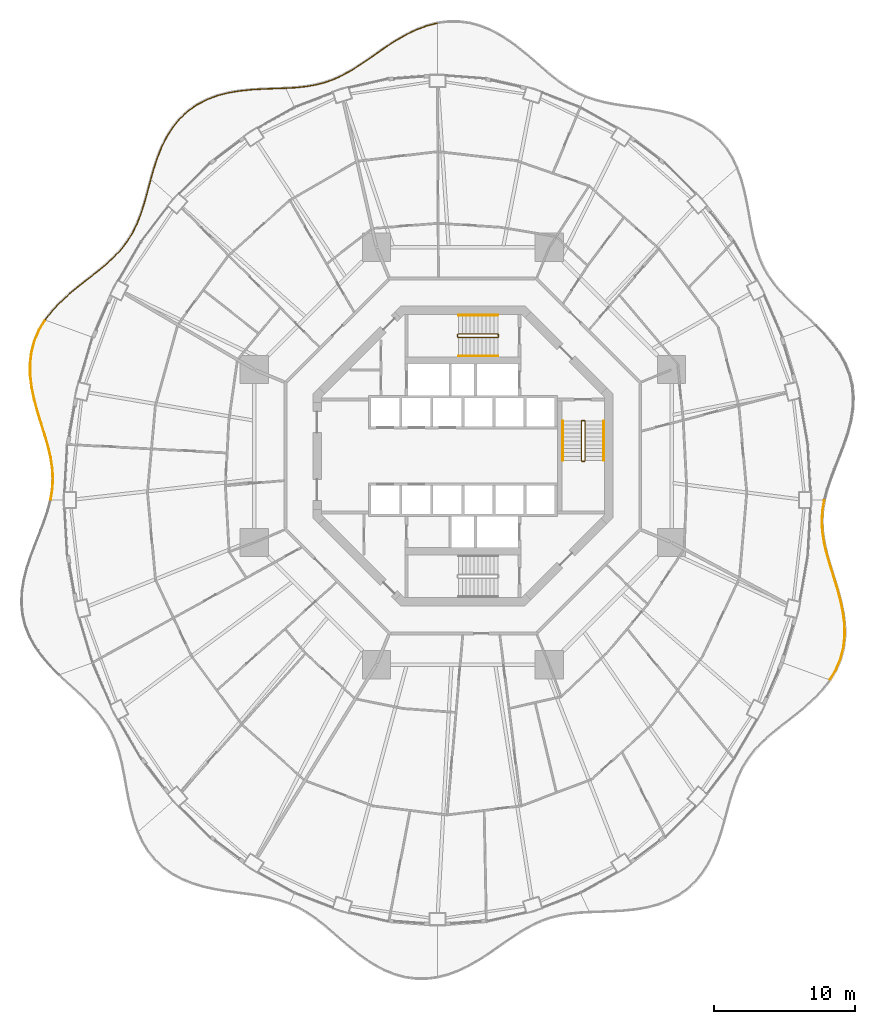
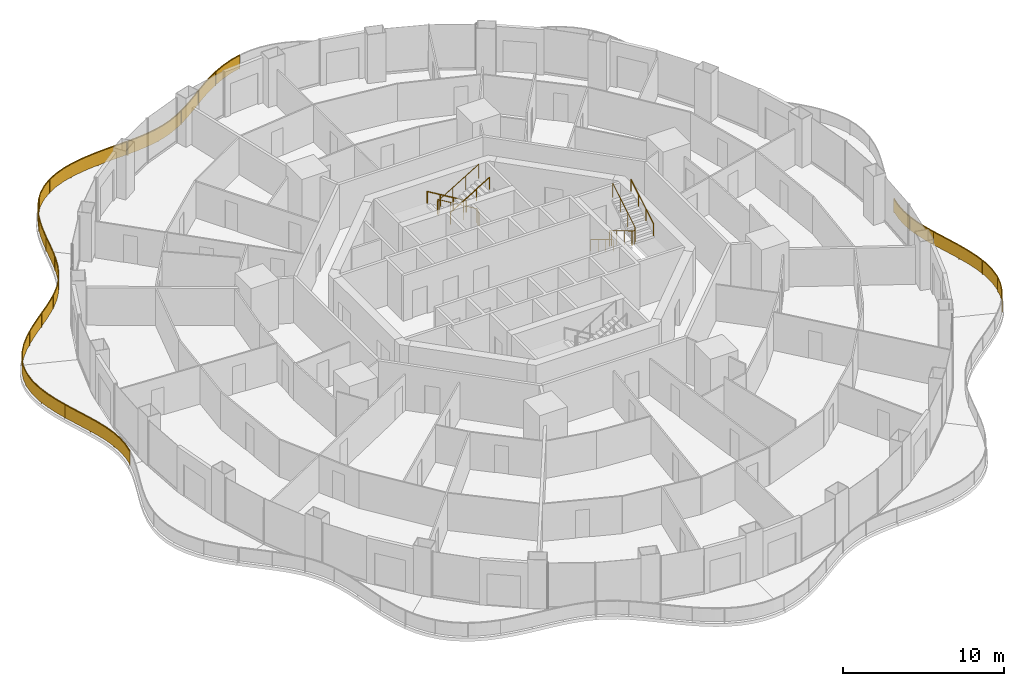
# One storey, part 20 of 21: 11 railings.
"""IFC4 building model written with IfcOpenShell, lengths in metres."""

from ifc_helpers import new_model, si_unit, direction, frame, origin, origin_2d, place, context, subcontext, project, spatial, polyline, rectangle, circle, outline, extrude, material, type_object, element, save


model = new_model("IFC4")

# Units and contexts
model_context = context("Model", 3, precision=1e-05, world=origin(), true_north=direction((0.0, 1.0)))
body_context = subcontext(model_context, "Body", "Model", "MODEL_VIEW")
ifc_project = project(units=[si_unit("LENGTHUNIT", "METRE"), si_unit("AREAUNIT", "SQUARE_METRE"), si_unit("VOLUMEUNIT", "CUBIC_METRE"), si_unit("PLANEANGLEUNIT", "RADIAN"), si_unit("MASSUNIT", "GRAM", prefix="KILO")], contexts=[model_context])

# Site, building, storey
site_placement = place(None, origin())
site = spatial("IfcSite", under=ifc_project, at=site_placement, CompositionType="ELEMENT")
building_placement = place(site_placement, origin())
building = spatial("IfcBuilding", under=site, at=building_placement, Name="Nagisa Residences", CompositionType="ELEMENT")
storey_placement = place(building_placement, frame((0.0, 0.0, 138.10009765625)))
storey = spatial("IfcBuildingStorey", under=building, at=storey_placement, Name="L34", CompositionType="ELEMENT", Elevation=138.10009765625)

# Railings
ifc_material_1 = material(Name="Stainless steel 316", Category="steel")
railing_type_1 = type_object("IfcRailingType", Name="BALCONY GUARD 1100", PredefinedType="BALUSTRADE", material=ifc_material_1)
railing_1_placement = place(storey_placement, frame((-1.83740234375, 30.656982421875, 0.0)))
element("IfcRailing", 1, at=railing_1_placement, inside=storey, type_object=railing_type_1, Name="guard:L34:bal04-0", PredefinedType="BALUSTRADE", context=body_context, shape_type="SweptSolid", body=[
    extrude(outline(polyline([(-0.701171875, -0.205810546875), (0.006103515625, -0.024169921875), (-0.006103515625, 0.024169921875), (-0.71630859375, -0.157958984375), (-1.45947265625, -0.43408203125), (-2.18310546875, -0.780029296875), (-2.8837890625, -1.178955078125), (-3.561279296875, -1.612548828125), (-4.198974609375, -2.05859375), (-4.835205078125, -2.50390625), (-5.45751953125, -2.928466796875), (-6.07275390625, -3.3173828125), (-6.688232421875, -3.6591796875), (-7.294189453125, -3.940673828125), (-7.931640625, -4.16943359375), (-8.590576171875, -4.341064453125), (-9.274658203125, -4.46044921875), (-9.98681640625, -4.536865234375), (-10.681884765625, -4.577880859375), (-10.678955078125, -4.627685546875), (-9.98291015625, -4.586669921875), (-9.267822265625, -4.51025390625), (-8.579833984375, -4.389892578125), (-7.9169921875, -4.21728515625), (-7.275146484375, -3.987060546875), (-6.665283203125, -3.70361328125), (-6.04736328125, -3.3603515625), (-5.43017578125, -2.970458984375), (-4.806884765625, -2.544921875), (-4.170166015625, -2.099609375), (-3.533447265625, -1.654052734375), (-2.85791015625, -1.221923828125), (-2.15966796875, -0.824462890625), (-1.43994140625, -0.47998046875), (-0.701171875, -0.205810546875)])), frame((0.0, 0.0, 1.050048828125)), (0.0, 0.0, 1.0), 0.050048828125),
    extrude(outline(polyline([(-0.70654296875, -0.1884765625), (0.001708984375, -0.0068359375), (-0.001708984375, 0.0068359375), (-0.7109375, -0.17529296875), (-1.452392578125, -0.45068359375), (-2.174560546875, -0.796142578125), (-2.87451171875, -1.1943359375), (-3.55126953125, -1.62744140625), (-4.1884765625, -2.073486328125), (-4.824951171875, -2.5185546875), (-5.44775390625, -2.943603515625), (-6.063720703125, -3.332763671875), (-6.679931640625, -3.675048828125), (-7.287353515625, -3.957275390625), (-7.92626953125, -4.186767578125), (-8.586669921875, -4.358642578125), (-9.272216796875, -4.478515625), (-9.9853515625, -4.5546875), (-10.680908203125, -4.595703125), (-10.679931640625, -4.60986328125), (-9.984375, -4.56884765625), (-9.270263671875, -4.4921875), (-8.583740234375, -4.372314453125), (-7.92236328125, -4.199951171875), (-7.281982421875, -3.970458984375), (-6.673583984375, -3.687744140625), (-6.056396484375, -3.344970703125), (-5.43994140625, -2.955322265625), (-4.817138671875, -2.5302734375), (-4.1806640625, -2.084716796875), (-3.54345703125, -1.63916015625), (-2.8671875, -1.20654296875), (-2.168212890625, -0.808349609375), (-1.447021484375, -0.46337890625), (-0.70654296875, -0.1884765625)])), frame((0.0, 0.0, 0.06005859375)), (0.0, 0.0, 1.0), 0.989990234375),
    extrude(rectangle(XDim=0.0400390625, YDim=0.0400390625, at=origin_2d()), origin(), (0.0, 0.0, 1.0), 1.050048828125),
    extrude(rectangle(XDim=0.0400390625, YDim=0.0400390625, at=origin_2d()), frame((-2.207275390625, -0.82275390625, 0.0)), (0.0, 0.0, 1.0), 1.050048828125),
    extrude(rectangle(XDim=0.0400390625, YDim=0.0400390625, at=origin_2d()), frame((-4.199951171875, -2.08984375, 0.0)), (0.0, 0.0, 1.0), 1.050048828125),
    extrude(rectangle(XDim=0.0400390625, YDim=0.0400390625, at=origin_2d()), frame((-6.167236328125, -3.3984375, 0.0)), (0.0, 0.0, 1.0), 1.050048828125),
    extrude(rectangle(XDim=0.0400390625, YDim=0.0400390625, at=origin_2d()), frame((-8.3408203125, -4.3017578125, 0.0)), (0.0, 0.0, 1.0), 1.050048828125),
    extrude(rectangle(XDim=0.0400390625, YDim=0.0400390625, at=origin_2d()), frame((-10.680419921875, -4.602783203125, 0.0)), (0.0, 0.0, 1.0), 1.050048828125),
])
railing_2_placement = place(storey_placement, frame((-12.592529296875, 26.052734375, 0.0)))
element("IfcRailing", 2, at=railing_2_placement, inside=storey, type_object=railing_type_1, Name="guard:L34:bal05-0", PredefinedType="BALUSTRADE", context=body_context, shape_type="SweptSolid", body=[
    extrude(outline(polyline([(-0.748046875, -0.050537109375), (0.0009765625, -0.02490234375), (-0.0009765625, 0.02490234375), (-0.75, -0.000732421875), (-1.564208984375, -0.031005859375), (-2.389892578125, -0.080078125), (-3.21630859375, -0.166015625), (-4.029052734375, -0.3046875), (-4.80517578125, -0.502197265625), (-5.555419921875, -0.785400390625), (-6.25537109375, -1.1513671875), (-6.8955078125, -1.601806640625), (-7.468017578125, -2.134521484375), (-7.957763671875, -2.7314453125), (-8.388916015625, -3.4033203125), (-8.753662109375, -4.12744140625), (-9.060302734375, -4.888427734375), (-9.320068359375, -5.6708984375), (-9.531494140625, -6.41650390625), (-9.483154296875, -6.43017578125), (-9.272216796875, -5.685546875), (-9.013427734375, -4.905517578125), (-8.708251953125, -4.14794921875), (-8.345458984375, -3.42822265625), (-7.917236328125, -2.7607421875), (-7.431396484375, -2.168701171875), (-6.86376953125, -1.640869140625), (-6.2294921875, -1.1943359375), (-5.534912109375, -0.831298828125), (-4.7900390625, -0.550048828125), (-4.018798828125, -0.353515625), (-3.20947265625, -0.2158203125), (-2.385986328125, -0.1298828125), (-1.561767578125, -0.080810546875), (-0.748046875, -0.050537109375)])), frame((0.0, 0.0, 1.050048828125)), (0.0, 0.0, 1.0), 0.050048828125),
    extrude(outline(polyline([(-0.748779296875, -0.03271484375), (0.000244140625, -0.007080078125), (-0.000244140625, 0.007080078125), (-0.749267578125, -0.0185546875), (-1.563232421875, -0.048828125), (-2.388427734375, -0.097900390625), (-3.2138671875, -0.18408203125), (-4.025390625, -0.322265625), (-4.7998046875, -0.51953125), (-5.548095703125, -0.802001953125), (-6.24609375, -1.166748046875), (-6.884033203125, -1.615966796875), (-7.454833984375, -2.146728515625), (-7.943115234375, -2.741943359375), (-8.373291015625, -3.412353515625), (-8.7373046875, -4.134765625), (-9.04345703125, -4.89453125), (-9.302734375, -5.67626953125), (-9.51416015625, -6.42138671875), (-9.50048828125, -6.42529296875), (-9.28955078125, -5.68017578125), (-9.0302734375, -4.8994140625), (-8.724609375, -4.140625), (-8.361083984375, -3.419189453125), (-7.931884765625, -2.750244140625), (-7.444580078125, -2.156494140625), (-6.875244140625, -1.626708984375), (-6.23876953125, -1.178955078125), (-5.542236328125, -0.814697265625), (-4.79541015625, -0.53271484375), (-4.0224609375, -0.3359375), (-3.2119140625, -0.19775390625), (-2.387451171875, -0.112060546875), (-1.562744140625, -0.06298828125), (-0.748779296875, -0.03271484375)])), frame((0.0, 0.0, 0.06005859375)), (0.0, 0.0, 1.0), 0.989990234375),
    extrude(rectangle(XDim=0.0400390625, YDim=0.0400390625, at=origin_2d()), origin(), (0.0, 0.0, 1.0), 1.050048828125),
    extrude(rectangle(XDim=0.0400390625, YDim=0.0400390625, at=origin_2d()), frame((-2.126953125, -0.08935546875, 0.0)), (0.0, 0.0, 1.0), 1.050048828125),
    extrude(rectangle(XDim=0.0400390625, YDim=0.0400390625, at=origin_2d()), frame((-4.232666015625, -0.38232421875, 0.0)), (0.0, 0.0, 1.0), 1.050048828125),
    extrude(rectangle(XDim=0.0400390625, YDim=0.0400390625, at=origin_2d()), frame((-6.20703125, -1.154296875, 0.0)), (0.0, 0.0, 1.0), 1.050048828125),
    extrude(rectangle(XDim=0.0400390625, YDim=0.0400390625, at=origin_2d()), frame((-7.786865234375, -2.562255859375, 0.0)), (0.0, 0.0, 1.0), 1.050048828125),
    extrude(rectangle(XDim=0.0400390625, YDim=0.0400390625, at=origin_2d()), frame((-8.83837890625, -4.404052734375, 0.0)), (0.0, 0.0, 1.0), 1.050048828125),
    extrude(rectangle(XDim=0.0400390625, YDim=0.0400390625, at=origin_2d()), frame((-9.50732421875, -6.42333984375, 0.0)), (0.0, 0.0, 1.0), 1.050048828125),
])
railing_3_placement = place(storey_placement, frame((-22.11865234375, 19.555419921875, 0.0)))
element("IfcRailing", 3, at=railing_3_placement, inside=storey, type_object=railing_type_1, Name="guard:L34:bal06-0", PredefinedType="BALUSTRADE", context=body_context, shape_type="SweptSolid", body=[
    extrude(outline(polyline([(-0.181396484375, -0.781005859375), (0.024169921875, -0.00634765625), (-0.024169921875, 0.00634765625), (-0.229736328125, -0.767822265625), (-0.448974609375, -1.561767578125), (-0.6875, -2.320556640625), (-0.961181640625, -3.03662109375), (-1.284423828125, -3.706787109375), (-1.658935546875, -4.31884765625), (-2.1064453125, -4.90234375), (-2.61865234375, -5.4521484375), (-3.190185546875, -5.978515625), (-3.810302734375, -6.492431640625), (-4.45654296875, -6.9931640625), (-5.12353515625, -7.5185546875), (-5.783203125, -8.066162109375), (-6.413330078125, -8.64453125), (-6.99169921875, -9.26025390625), (-7.47119140625, -9.878662109375), (-7.431640625, -9.909423828125), (-6.95361328125, -9.29296875), (-6.378173828125, -8.68017578125), (-5.75048828125, -8.103759765625), (-5.09228515625, -7.5576171875), (-4.42578125, -7.03271484375), (-3.779052734375, -6.531494140625), (-3.157470703125, -6.01611328125), (-2.58349609375, -5.48779296875), (-2.068359375, -4.9345703125), (-1.617431640625, -4.34716796875), (-1.240478515625, -3.730712890625), (-0.915283203125, -3.056640625), (-0.64013671875, -2.337158203125), (-0.401123046875, -1.575927734375), (-0.181396484375, -0.781005859375)])), frame((0.0, 0.0, 1.050048828125)), (0.0, 0.0, 1.0), 0.050048828125),
    extrude(outline(polyline([(-0.19873046875, -0.776123046875), (0.0068359375, -0.001708984375), (-0.0068359375, 0.001708984375), (-0.21240234375, -0.772705078125), (-0.431884765625, -1.56689453125), (-0.67041015625, -2.32666015625), (-0.944580078125, -3.0439453125), (-1.2685546875, -3.71533203125), (-1.64404296875, -4.3291015625), (-2.0927734375, -4.913818359375), (-2.60595703125, -5.465087890625), (-3.178466796875, -5.991943359375), (-3.799072265625, -6.506591796875), (-4.445556640625, -7.00732421875), (-5.1123046875, -7.53271484375), (-5.771484375, -8.07958984375), (-6.400634765625, -8.657470703125), (-6.97802734375, -9.27197265625), (-7.45703125, -9.8896484375), (-7.44580078125, -9.8984375), (-6.96728515625, -9.28125), (-6.390869140625, -8.667236328125), (-5.76220703125, -8.09033203125), (-5.103515625, -7.54345703125), (-4.436767578125, -7.0185546875), (-3.790283203125, -6.517333984375), (-3.169189453125, -6.002685546875), (-2.59619140625, -5.474853515625), (-2.08203125, -4.923095703125), (-1.63232421875, -4.3369140625), (-1.25634765625, -3.72216796875), (-0.931884765625, -3.04931640625), (-0.6572265625, -2.3310546875), (-0.418212890625, -1.57080078125), (-0.19873046875, -0.776123046875)])), frame((0.0, 0.0, 0.06005859375)), (0.0, 0.0, 1.0), 0.989990234375),
    extrude(rectangle(XDim=0.0400390625, YDim=0.0400390625, at=origin_2d()), origin(), (0.0, 0.0, 1.0), 1.050048828125),
    extrude(rectangle(XDim=0.0400390625, YDim=0.0400390625, at=origin_2d()), frame((-0.573974609375, -2.04296875, 0.0)), (0.0, 0.0, 1.0), 1.050048828125),
    extrude(rectangle(XDim=0.0400390625, YDim=0.0400390625, at=origin_2d()), frame((-1.423095703125, -3.9814453125, 0.0)), (0.0, 0.0, 1.0), 1.050048828125),
    extrude(rectangle(XDim=0.0400390625, YDim=0.0400390625, at=origin_2d()), frame((-2.761962890625, -5.6181640625, 0.0)), (0.0, 0.0, 1.0), 1.050048828125),
    extrude(rectangle(XDim=0.0400390625, YDim=0.0400390625, at=origin_2d()), frame((-4.392333984375, -6.97509765625, 0.0)), (0.0, 0.0, 1.0), 1.050048828125),
    extrude(rectangle(XDim=0.0400390625, YDim=0.0400390625, at=origin_2d()), frame((-6.028564453125, -8.325439453125, 0.0)), (0.0, 0.0, 1.0), 1.050048828125),
    extrude(rectangle(XDim=0.0400390625, YDim=0.0400390625, at=origin_2d()), frame((-7.451416015625, -9.89404296875, 0.0)), (0.0, 0.0, 1.0), 1.050048828125),
])
railing_4_placement = place(storey_placement, frame((-29.6142578125, 9.597900390625, 0.0)))
element("IfcRailing", 4, at=railing_4_placement, inside=storey, type_object=railing_type_1, Name="guard:L34:bal07-0", PredefinedType="BALUSTRADE", context=body_context, shape_type="SweptSolid", body=[
    extrude(outline(polyline([(-0.38427734375, -0.68994140625), (0.021484375, -0.012939453125), (-0.021484375, 0.012939453125), (-0.42919921875, -0.6669921875), (-0.75341796875, -1.4296875), (-0.964111328125, -2.228515625), (-1.0615234375, -3.05615234375), (-1.0517578125, -3.903076171875), (-0.945556640625, -4.746826171875), (-0.767822265625, -5.605224609375), (-0.5380859375, -6.45654296875), (-0.281982421875, -7.294921875), (-0.025390625, -8.1162109375), (0.20751953125, -8.904296875), (0.391357421875, -9.68798828125), (0.51025390625, -10.455810546875), (0.55126953125, -11.212646484375), (0.5087890625, -11.96435546875), (0.390625, -12.6767578125), (0.43994140625, -12.68505859375), (0.55859375, -11.9697265625), (0.6015625, -11.212646484375), (0.56005859375, -10.450439453125), (0.440673828125, -9.67822265625), (0.255859375, -8.8916015625), (0.0224609375, -8.1015625), (-0.234130859375, -7.2802734375), (-0.48974609375, -6.44287109375), (-0.718994140625, -5.593505859375), (-0.896240234375, -4.738525390625), (-1.001953125, -3.899658203125), (-1.01123046875, -3.05859375), (-0.914794921875, -2.23779296875), (-0.7060546875, -1.44580078125), (-0.38427734375, -0.68994140625)])), frame((0.0, 0.0, 1.050048828125)), (0.0, 0.0, 1.0), 0.050048828125),
    extrude(outline(polyline([(-0.400390625, -0.681640625), (0.006103515625, -0.003662109375), (-0.006103515625, 0.003662109375), (-0.4130859375, -0.67529296875), (-0.736328125, -1.435546875), (-0.9462890625, -2.23193359375), (-1.04345703125, -3.056884765625), (-1.033935546875, -3.90185546875), (-0.927734375, -4.743896484375), (-0.750244140625, -5.60107421875), (-0.520751953125, -6.45166015625), (-0.2646484375, -7.28955078125), (-0.008056640625, -8.11083984375), (0.224853515625, -8.899658203125), (0.4091796875, -9.684326171875), (0.528076171875, -10.453857421875), (0.5693359375, -11.212646484375), (0.526611328125, -11.96630859375), (0.408447265625, -12.6796875), (0.422119140625, -12.68212890625), (0.540771484375, -11.9677734375), (0.58349609375, -11.212646484375), (0.542236328125, -10.452392578125), (0.4228515625, -9.681884765625), (0.238525390625, -8.896240234375), (0.005126953125, -8.10693359375), (-0.25146484375, -7.28564453125), (-0.507080078125, -6.44775390625), (-0.736572265625, -5.59765625), (-0.9140625, -4.741455078125), (-1.019775390625, -3.90087890625), (-1.029296875, -3.057861328125), (-0.9326171875, -2.234375), (-0.72314453125, -1.43994140625), (-0.400390625, -0.681640625)])), frame((0.0, 0.0, 0.06005859375)), (0.0, 0.0, 1.0), 0.989990234375),
    extrude(rectangle(XDim=0.0400390625, YDim=0.0400390625, at=origin_2d()), origin(), (0.0, 0.0, 1.0), 1.050048828125),
    extrude(rectangle(XDim=0.0400390625, YDim=0.0400390625, at=origin_2d()), frame((-0.874267578125, -1.986328125, 0.0)), (0.0, 0.0, 1.0), 1.050048828125),
    extrude(rectangle(XDim=0.0400390625, YDim=0.0400390625, at=origin_2d()), frame((-0.9951171875, -4.15380859375, 0.0)), (0.0, 0.0, 1.0), 1.050048828125),
    extrude(rectangle(XDim=0.0400390625, YDim=0.0400390625, at=origin_2d()), frame((-0.55712890625, -6.289794921875, 0.0)), (0.0, 0.0, 1.0), 1.050048828125),
    extrude(rectangle(XDim=0.0400390625, YDim=0.0400390625, at=origin_2d()), frame((0.078125, -8.378662109375, 0.0)), (0.0, 0.0, 1.0), 1.050048828125),
    extrude(rectangle(XDim=0.0400390625, YDim=0.0400390625, at=origin_2d()), frame((0.538330078125, -10.50927734375, 0.0)), (0.0, 0.0, 1.0), 1.050048828125),
    extrude(rectangle(XDim=0.0400390625, YDim=0.0400390625, at=origin_2d()), frame((0.415283203125, -12.680908203125, 0.0)), (0.0, 0.0, 1.0), 1.050048828125),
])
railing_5_placement = place(storey_placement, frame((26.01416015625, -15.833251953125, 0.0)))
element("IfcRailing", 5, at=railing_5_placement, inside=storey, type_object=railing_type_1, Name="guard:L34:bal15-0", PredefinedType="BALUSTRADE", context=body_context, shape_type="SweptSolid", body=[
    extrude(outline(polyline([(0.384521484375, 0.68994140625), (-0.021484375, 0.012939453125), (0.021484375, -0.012939453125), (0.429443359375, 0.6669921875), (0.75341796875, 1.4296875), (0.96435546875, 2.228515625), (1.0615234375, 3.05615234375), (1.052001953125, 3.903076171875), (0.94580078125, 4.746826171875), (0.76806640625, 5.60498046875), (0.538330078125, 6.45654296875), (0.281982421875, 7.294921875), (0.025634765625, 8.1162109375), (-0.20751953125, 8.904296875), (-0.391357421875, 9.68798828125), (-0.51025390625, 10.455810546875), (-0.551025390625, 11.21240234375), (-0.5087890625, 11.964111328125), (-0.390380859375, 12.6767578125), (-0.439697265625, 12.68505859375), (-0.55859375, 11.969482421875), (-0.601318359375, 11.21240234375), (-0.56005859375, 10.450439453125), (-0.440673828125, 9.67822265625), (-0.255859375, 8.8916015625), (-0.022216796875, 8.1015625), (0.234130859375, 7.2802734375), (0.489990234375, 6.44287109375), (0.71923828125, 5.59326171875), (0.896484375, 4.738525390625), (1.002197265625, 3.899658203125), (1.01123046875, 3.05859375), (0.9150390625, 2.23779296875), (0.7060546875, 1.44580078125), (0.384521484375, 0.68994140625)])), frame((0.0, 0.0, 1.050048828125)), (0.0, 0.0, 1.0), 0.050048828125),
    extrude(outline(polyline([(0.400634765625, 0.681640625), (-0.006103515625, 0.003662109375), (0.006103515625, -0.003662109375), (0.413330078125, 0.67529296875), (0.736328125, 1.435546875), (0.946533203125, 2.23193359375), (1.04345703125, 3.056884765625), (1.0341796875, 3.90185546875), (0.927978515625, 4.743896484375), (0.75048828125, 5.600830078125), (0.52099609375, 6.45166015625), (0.2646484375, 7.28955078125), (0.00830078125, 8.11083984375), (-0.224853515625, 8.899658203125), (-0.4091796875, 9.684326171875), (-0.528076171875, 10.453857421875), (-0.569091796875, 11.21240234375), (-0.526611328125, 11.966064453125), (-0.408203125, 12.6796875), (-0.421875, 12.68212890625), (-0.540771484375, 11.967529296875), (-0.583251953125, 11.21240234375), (-0.542236328125, 10.452392578125), (-0.4228515625, 9.681884765625), (-0.238525390625, 8.896240234375), (-0.0048828125, 8.10693359375), (0.25146484375, 7.28564453125), (0.50732421875, 6.44775390625), (0.73681640625, 5.597412109375), (0.914306640625, 4.741455078125), (1.02001953125, 3.90087890625), (1.029296875, 3.057861328125), (0.932861328125, 2.234375), (0.72314453125, 1.43994140625), (0.400634765625, 0.681640625)])), frame((0.0, 0.0, 0.06005859375)), (0.0, 0.0, 1.0), 0.989990234375),
    extrude(rectangle(XDim=0.0400390625, YDim=0.0400390625, at=origin_2d()), origin(), (0.0, 0.0, 1.0), 1.050048828125),
    extrude(rectangle(XDim=0.0400390625, YDim=0.0400390625, at=origin_2d()), frame((0.87451171875, 1.986328125, 0.0)), (0.0, 0.0, 1.0), 1.050048828125),
    extrude(rectangle(XDim=0.0400390625, YDim=0.0400390625, at=origin_2d()), frame((0.995361328125, 4.15380859375, 0.0)), (0.0, 0.0, 1.0), 1.050048828125),
    extrude(rectangle(XDim=0.0400390625, YDim=0.0400390625, at=origin_2d()), frame((0.557373046875, 6.289794921875, 0.0)), (0.0, 0.0, 1.0), 1.050048828125),
    extrude(rectangle(XDim=0.0400390625, YDim=0.0400390625, at=origin_2d()), frame((-0.078125, 8.378662109375, 0.0)), (0.0, 0.0, 1.0), 1.050048828125),
    extrude(rectangle(XDim=0.0400390625, YDim=0.0400390625, at=origin_2d()), frame((-0.5380859375, 10.50927734375, 0.0)), (0.0, 0.0, 1.0), 1.050048828125),
    extrude(rectangle(XDim=0.0400390625, YDim=0.0400390625, at=origin_2d()), frame((-0.4150390625, 12.680908203125, 0.0)), (0.0, 0.0, 1.0), 1.050048828125),
])
ifc_material_2 = material(Name="Stainless steel", Category="steel")
railing_type_2 = type_object("IfcRailingType", Name="Stair guard 1100", PredefinedType="GUARDRAIL", material=ifc_material_2)
railing_6_placement = place(storey_placement, frame((8.599609375, 2.52490234375, 0.0)))
element("IfcRailing", 6, at=railing_6_placement, inside=storey, type_object=railing_type_2, Name="L34 ST-E stair guard 1", PredefinedType="GUARDRAIL", context=body_context, shape_type="SweptSolid", body=[
    extrude(circle(Radius=0.02392578125, at=origin_2d()), frame((0.0, 0.0, 1.076171875), z_axis=(-1.0, 0.0, 0.0), x_axis=(0.0, -1.0, 0.0)), (0.0, 0.0, 1.0), 0.14990234375),
    extrude(circle(Radius=0.02392578125, at=origin_2d()), frame((-0.14990234375, 0.0, 1.076171875), z_axis=(-0.274683208305, -0.273343290215, 0.921863645432), x_axis=(0.705375805398, -0.708833529934, 0.0)), (0.0, 0.0, 1.0), 0.18212890625),
    extrude(circle(Radius=0.02392578125, at=origin_2d()), frame((-0.199951171875, -0.0498046875, 1.244140625), z_axis=(0.0, -0.857242210791, 0.514913383045), x_axis=(1.0, 0.0, 0.0)), (0.0, 0.0, 1.0), 3.266357421875),
    extrude(circle(Radius=0.02392578125, at=origin_2d()), frame((-0.199951171875, -2.849853515625, 2.92578125), z_axis=(0.707106781187, -0.707106781187, 0.0), x_axis=(0.707106781187, 0.707106781187, 0.0)), (0.0, 0.0, 1.0), 0.07080078125),
    extrude(circle(Radius=0.02392578125, at=origin_2d()), frame((-0.14990234375, -2.89990234375, 2.92578125), z_axis=(1.0, 0.0, 0.0), x_axis=(0.0, 1.0, 0.0)), (0.0, 0.0, 1.0), 0.14990234375),
    extrude(circle(Radius=0.02392578125, at=origin_2d()), frame((0.0, -2.89990234375, 2.92578125), z_axis=(0.274243871929, 0.274243871929, 0.92172696468), x_axis=(-0.707106781187, 0.707106781187, 0.0)), (0.0, 0.0, 1.0), 0.1826171875),
    extrude(circle(Radius=0.02392578125, at=origin_2d()), frame((0.050048828125, -2.849853515625, 3.09423828125), z_axis=(0.0, 0.857242210791, 0.514913383045), x_axis=(-1.0, 0.0, 0.0)), (0.0, 0.0, 1.0), 3.266357421875),
    extrude(circle(Radius=0.02099609375, at=origin_2d()), origin(), (0.0, 0.0, 1.0), 1.052001953125),
    extrude(circle(Radius=0.02099609375, at=origin_2d()), frame((-0.14990234375, 0.0, 0.0)), (0.0, 0.0, 1.0), 1.052001953125),
    extrude(circle(Radius=0.02099609375, at=origin_2d()), frame((-0.199951171875, -0.0498046875, 0.16796875)), (0.0, 0.0, 1.0), 1.052001953125),
    extrude(circle(Radius=0.02099609375, at=origin_2d()), frame((-0.199951171875, -0.983154296875, 0.728515625)), (0.0, 0.0, 1.0), 1.052001953125),
    extrude(circle(Radius=0.02099609375, at=origin_2d()), frame((-0.199951171875, -1.91650390625, 1.289306640625)), (0.0, 0.0, 1.0), 1.052001953125),
    extrude(circle(Radius=0.02099609375, at=origin_2d()), frame((-0.199951171875, -2.849853515625, 1.849853515625)), (0.0, 0.0, 1.0), 1.052001953125),
    extrude(circle(Radius=0.02099609375, at=origin_2d()), frame((-0.14990234375, -2.89990234375, 1.849853515625)), (0.0, 0.0, 1.0), 1.052001953125),
    extrude(circle(Radius=0.02099609375, at=origin_2d()), frame((0.0, -2.89990234375, 1.849853515625)), (0.0, 0.0, 1.0), 1.052001953125),
    extrude(circle(Radius=0.02099609375, at=origin_2d()), frame((0.050048828125, -2.849853515625, 2.01806640625)), (0.0, 0.0, 1.0), 1.052001953125),
    extrude(circle(Radius=0.02099609375, at=origin_2d()), frame((0.050048828125, -1.91650390625, 2.57861328125)), (0.0, 0.0, 1.0), 1.052001953125),
    extrude(circle(Radius=0.02099609375, at=origin_2d()), frame((0.050048828125, -0.983154296875, 3.139404296875)), (0.0, 0.0, 1.0), 1.052001953125),
    extrude(circle(Radius=0.02099609375, at=origin_2d()), frame((0.050048828125, -0.0498046875, 3.699951171875)), (0.0, 0.0, 1.0), 1.052001953125),
])
railing_7_placement = place(storey_placement, frame((2.52490234375, 8.44970703125, 0.0)))
element("IfcRailing", 7, at=railing_7_placement, inside=storey, type_object=railing_type_2, Name="L34 ST-N stair guard 1", PredefinedType="GUARDRAIL", context=body_context, shape_type="SweptSolid", body=[
    extrude(circle(Radius=0.02392578125, at=origin_2d()), frame((0.0, 0.0, 1.076171875), z_axis=(0.0, 1.0, 0.0), x_axis=(-1.0, 0.0, 0.0)), (0.0, 0.0, 1.0), 0.14990234375),
    extrude(circle(Radius=0.02392578125, at=origin_2d()), frame((0.0, 0.14990234375, 1.076171875), z_axis=(-0.273343290215, 0.274683208305, 0.921863645432), x_axis=(-0.708833529934, -0.705375805398, 0.0)), (0.0, 0.0, 1.0), 0.18212890625),
    extrude(circle(Radius=0.02392578125, at=origin_2d()), frame((-0.0498046875, 0.199951171875, 1.244140625), z_axis=(-0.857242210791, 0.0, 0.514913383045), x_axis=(0.0, -1.0, 0.0)), (0.0, 0.0, 1.0), 3.266357421875),
    extrude(circle(Radius=0.02392578125, at=origin_2d()), frame((-2.849853515625, 0.199951171875, 2.92578125), z_axis=(-0.707106781187, -0.707106781187, 0.0), x_axis=(0.707106781187, -0.707106781187, 0.0)), (0.0, 0.0, 1.0), 0.07080078125),
    extrude(circle(Radius=0.02392578125, at=origin_2d()), frame((-2.89990234375, 0.14990234375, 2.92578125), z_axis=(0.0, -1.0, 0.0), x_axis=(1.0, 0.0, 0.0)), (0.0, 0.0, 1.0), 0.14990234375),
    extrude(circle(Radius=0.02392578125, at=origin_2d()), frame((-2.89990234375, 0.0, 2.92578125), z_axis=(0.274243871929, -0.274243871929, 0.92172696468), x_axis=(0.707106781187, 0.707106781187, 0.0)), (0.0, 0.0, 1.0), 0.1826171875),
    extrude(circle(Radius=0.02392578125, at=origin_2d()), frame((-2.849853515625, -0.050048828125, 3.09423828125), z_axis=(0.857242210791, 0.0, 0.514913383045), x_axis=(0.0, 1.0, 0.0)), (0.0, 0.0, 1.0), 3.266357421875),
    extrude(circle(Radius=0.02099609375, at=origin_2d()), origin(), (0.0, 0.0, 1.0), 1.052001953125),
    extrude(circle(Radius=0.02099609375, at=origin_2d()), frame((0.0, 0.14990234375, 0.0)), (0.0, 0.0, 1.0), 1.052001953125),
    extrude(circle(Radius=0.02099609375, at=origin_2d()), frame((-0.0498046875, 0.199951171875, 0.16796875)), (0.0, 0.0, 1.0), 1.052001953125),
    extrude(circle(Radius=0.02099609375, at=origin_2d()), frame((-0.983154296875, 0.199951171875, 0.728515625)), (0.0, 0.0, 1.0), 1.052001953125),
    extrude(circle(Radius=0.02099609375, at=origin_2d()), frame((-1.91650390625, 0.199951171875, 1.289306640625)), (0.0, 0.0, 1.0), 1.052001953125),
    extrude(circle(Radius=0.02099609375, at=origin_2d()), frame((-2.849853515625, 0.199951171875, 1.849853515625)), (0.0, 0.0, 1.0), 1.052001953125),
    extrude(circle(Radius=0.02099609375, at=origin_2d()), frame((-2.89990234375, 0.14990234375, 1.849853515625)), (0.0, 0.0, 1.0), 1.052001953125),
    extrude(circle(Radius=0.02099609375, at=origin_2d()), frame((-2.89990234375, 0.0, 1.849853515625)), (0.0, 0.0, 1.0), 1.052001953125),
    extrude(circle(Radius=0.02099609375, at=origin_2d()), frame((-2.849853515625, -0.050048828125, 2.01806640625)), (0.0, 0.0, 1.0), 1.052001953125),
    extrude(circle(Radius=0.02099609375, at=origin_2d()), frame((-1.91650390625, -0.050048828125, 2.57861328125)), (0.0, 0.0, 1.0), 1.052001953125),
    extrude(circle(Radius=0.02099609375, at=origin_2d()), frame((-0.983154296875, -0.050048828125, 3.139404296875)), (0.0, 0.0, 1.0), 1.052001953125),
    extrude(circle(Radius=0.02099609375, at=origin_2d()), frame((-0.0498046875, -0.050048828125, 3.699951171875)), (0.0, 0.0, 1.0), 1.052001953125),
])
ifc_material_3 = material(Name="Stainless steel", Category="steel")
railing_type_3 = type_object("IfcRailingType", Name="Stair handrail 900", PredefinedType="HANDRAIL", material=ifc_material_3)
railing_8_placement = place(storey_placement, frame((7.07470703125, 2.47509765625, 0.16796875)))
element("IfcRailing", 8, at=railing_8_placement, inside=storey, type_object=railing_type_3, Name="L34 ST-E stair handrail 1", PredefinedType="HANDRAIL", context=body_context, shape_type="SweptSolid", body=[
    extrude(circle(Radius=0.02392578125, at=origin_2d()), frame((0.0, 0.0, 0.8759765625), z_axis=(0.0, -0.857242210791, 0.514913383045), x_axis=(1.0, 0.0, 0.0)), (0.0, 0.0, 1.0), 3.266357421875),
    extrude(circle(Radius=0.02099609375, at=origin_2d()), origin(), (0.0, 0.0, 1.0), 0.851806640625),
    extrude(circle(Radius=0.02099609375, at=origin_2d()), frame((0.0, -0.933349609375, 0.560546875)), (0.0, 0.0, 1.0), 0.851806640625),
    extrude(circle(Radius=0.02099609375, at=origin_2d()), frame((0.0, -1.86669921875, 1.121337890625)), (0.0, 0.0, 1.0), 0.851806640625),
    extrude(circle(Radius=0.02099609375, at=origin_2d()), frame((0.0, -2.800048828125, 1.681884765625)), (0.0, 0.0, 1.0), 0.851806640625),
])
railing_9_placement = place(storey_placement, frame((9.974609375, -0.324951171875, 2.01806640625)))
element("IfcRailing", 9, at=railing_9_placement, inside=storey, type_object=railing_type_3, Name="L34 ST-E stair handrail 2", PredefinedType="HANDRAIL", context=body_context, shape_type="SweptSolid", body=[
    extrude(circle(Radius=0.02392578125, at=origin_2d()), frame((0.0, 0.0, 0.8759765625), z_axis=(0.0, 0.857242210791, 0.514913383045), x_axis=(-1.0, 0.0, 0.0)), (0.0, 0.0, 1.0), 3.266357421875),
    extrude(circle(Radius=0.02099609375, at=origin_2d()), origin(), (0.0, 0.0, 1.0), 0.851806640625),
    extrude(circle(Radius=0.02099609375, at=origin_2d()), frame((0.0, 0.933349609375, 0.560546875)), (0.0, 0.0, 1.0), 0.851806640625),
    extrude(circle(Radius=0.02099609375, at=origin_2d()), frame((0.0, 1.86669921875, 1.121337890625)), (0.0, 0.0, 1.0), 0.851806640625),
    extrude(circle(Radius=0.02099609375, at=origin_2d()), frame((0.0, 2.800048828125, 1.681884765625)), (0.0, 0.0, 1.0), 0.851806640625),
])
railing_10_placement = place(storey_placement, frame((2.47509765625, 9.974609375, 0.16796875)))
element("IfcRailing", 10, at=railing_10_placement, inside=storey, type_object=railing_type_3, Name="L34 ST-N stair handrail 1", PredefinedType="HANDRAIL", context=body_context, shape_type="SweptSolid", body=[
    extrude(circle(Radius=0.02392578125, at=origin_2d()), frame((0.0, 0.0, 0.8759765625), z_axis=(-0.857242210791, 0.0, 0.514913383045), x_axis=(0.0, -1.0, 0.0)), (0.0, 0.0, 1.0), 3.266357421875),
    extrude(circle(Radius=0.02099609375, at=origin_2d()), origin(), (0.0, 0.0, 1.0), 0.851806640625),
    extrude(circle(Radius=0.02099609375, at=origin_2d()), frame((-0.933349609375, 0.0, 0.560546875)), (0.0, 0.0, 1.0), 0.851806640625),
    extrude(circle(Radius=0.02099609375, at=origin_2d()), frame((-1.86669921875, 0.0, 1.121337890625)), (0.0, 0.0, 1.0), 0.851806640625),
    extrude(circle(Radius=0.02099609375, at=origin_2d()), frame((-2.800048828125, 0.0, 1.681884765625)), (0.0, 0.0, 1.0), 0.851806640625),
])
railing_11_placement = place(storey_placement, frame((-0.324951171875, 7.07470703125, 2.01806640625)))
element("IfcRailing", 11, at=railing_11_placement, inside=storey, type_object=railing_type_3, Name="L34 ST-N stair handrail 2", PredefinedType="HANDRAIL", context=body_context, shape_type="SweptSolid", body=[
    extrude(circle(Radius=0.02392578125, at=origin_2d()), frame((0.0, 0.0, 0.8759765625), z_axis=(0.857242210791, 0.0, 0.514913383045), x_axis=(0.0, 1.0, 0.0)), (0.0, 0.0, 1.0), 3.266357421875),
    extrude(circle(Radius=0.02099609375, at=origin_2d()), origin(), (0.0, 0.0, 1.0), 0.851806640625),
    extrude(circle(Radius=0.02099609375, at=origin_2d()), frame((0.933349609375, 0.0, 0.560546875)), (0.0, 0.0, 1.0), 0.851806640625),
    extrude(circle(Radius=0.02099609375, at=origin_2d()), frame((1.86669921875, 0.0, 1.121337890625)), (0.0, 0.0, 1.0), 0.851806640625),
    extrude(circle(Radius=0.02099609375, at=origin_2d()), frame((2.800048828125, 0.0, 1.681884765625)), (0.0, 0.0, 1.0), 0.851806640625),
])

save(model, "model.ifc")
